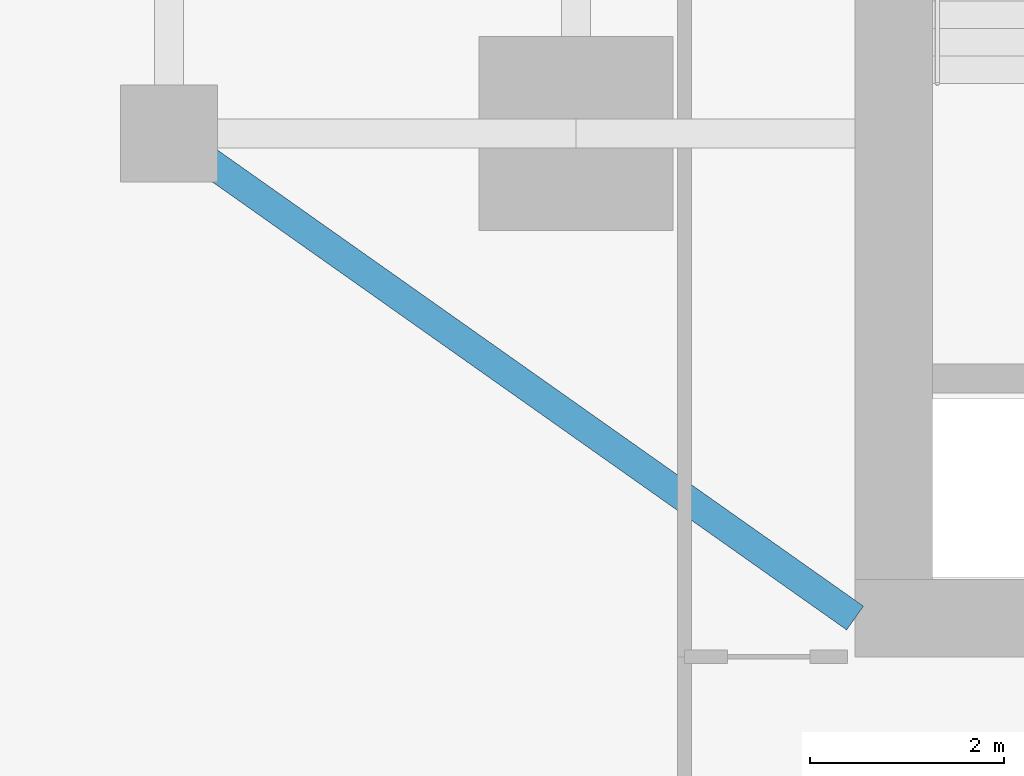
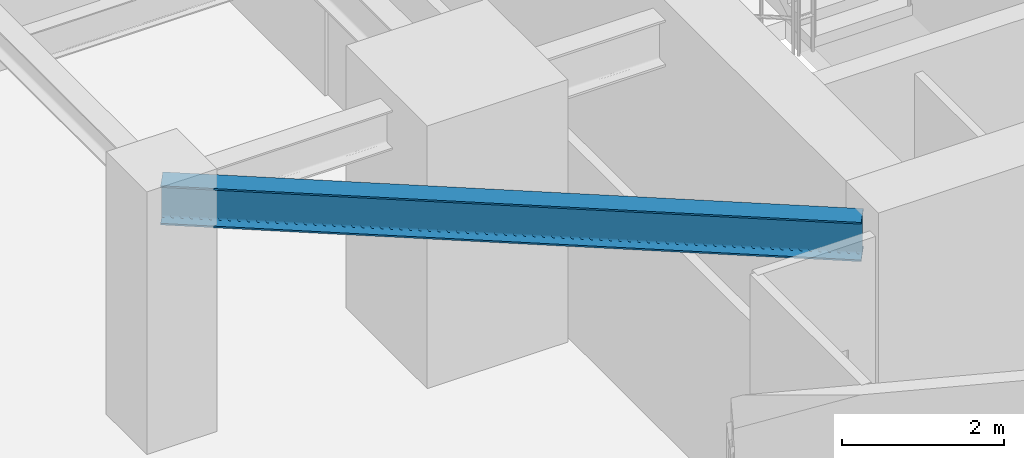
# One storey, part 4 of 26: 1 beam.
"""IFC4 building model written with IfcOpenShell, lengths in metres."""

from ifc_helpers import new_model, si_unit, direction, frame, origin, origin_2d, place, context, subcontext, project, spatial, i_section, extrude, source, transform, mapped, material, material_profile, profile_set, type_object, type_shapes, element, save


model = new_model("IFC4")

# Units and contexts
model_context = context("Model", 3, precision=1e-05, world=origin(), true_north=direction((0.0, 1.0)))
body_context = subcontext(model_context, "Body", "Model", "MODEL_VIEW")
ifc_project = project(units=[si_unit("LENGTHUNIT", "METRE"), si_unit("AREAUNIT", "SQUARE_METRE"), si_unit("VOLUMEUNIT", "CUBIC_METRE"), si_unit("PLANEANGLEUNIT", "RADIAN"), si_unit("MASSUNIT", "GRAM", prefix="KILO")], contexts=[model_context])

# Site, building, storey
site_placement = place(None, origin())
site = spatial("IfcSite", under=ifc_project, at=site_placement, CompositionType="ELEMENT")
building_placement = place(site_placement, origin())
building = spatial("IfcBuilding", under=site, at=building_placement, Name="Krantzveldt Concourse Tower", CompositionType="ELEMENT")
storey_placement = place(building_placement, frame((0.0, 0.0, 133.5)))
storey = spatial("IfcBuildingStorey", under=building, at=storey_placement, Name="L32", CompositionType="ELEMENT", Elevation=133.5)

# Beam
ifc_material = material(Name="Steel S355JR", Category="steel")
ifc_material_profile = material_profile(ifc_material, i_section(OverallWidth=0.300048828125, OverallDepth=0.590087890625, WebThickness=0.012939453125, FlangeThickness=0.02490234375, FilletRadius=0.027099609375, at=origin_2d()), Name="Steel S355JR", Category="steel")
ifc_profile_set = profile_set([ifc_material_profile], Name="Steel S355JR - HEA 600")
beam_type = type_object("IfcBeamType", Name="BM-B-HEA600", PredefinedType="BEAM", material=ifc_profile_set)
shared_shape = source(origin(), body_context, "Body", "SweptSolid", [
    extrude(i_section(OverallWidth=0.300048828125, OverallDepth=0.590087890625, WebThickness=0.012939453125, FlangeThickness=0.02490234375, FilletRadius=0.027099609375, at=origin_2d()), origin(), (0.0, 0.0, 1.0), 8.667724609375),
])
type_shapes(beam_type, [shared_shape])
beam_placement = place(storey_placement, frame((21.0, 15.89990234375, 3.375), z_axis=(0.81684294656, -0.576860122261, 0.0), x_axis=(0.576860122261, 0.81684294656, 0.0)))
element("IfcBeam", 1, at=beam_placement, inside=storey, type_object=beam_type, Name="L32 Tower Girder BR-CSW", PredefinedType="BEAM", context=body_context, shape_type="MappedRepresentation", body=[
    mapped(shared_shape, transform((0.0, 0.0, 0.0), x_axis=(1.0, 0.0, 0.0), y_axis=(0.0, 1.0, 0.0), z_axis=(0.0, 0.0, 1.0), scale=1.0)),
])

save(model, "model.ifc")
